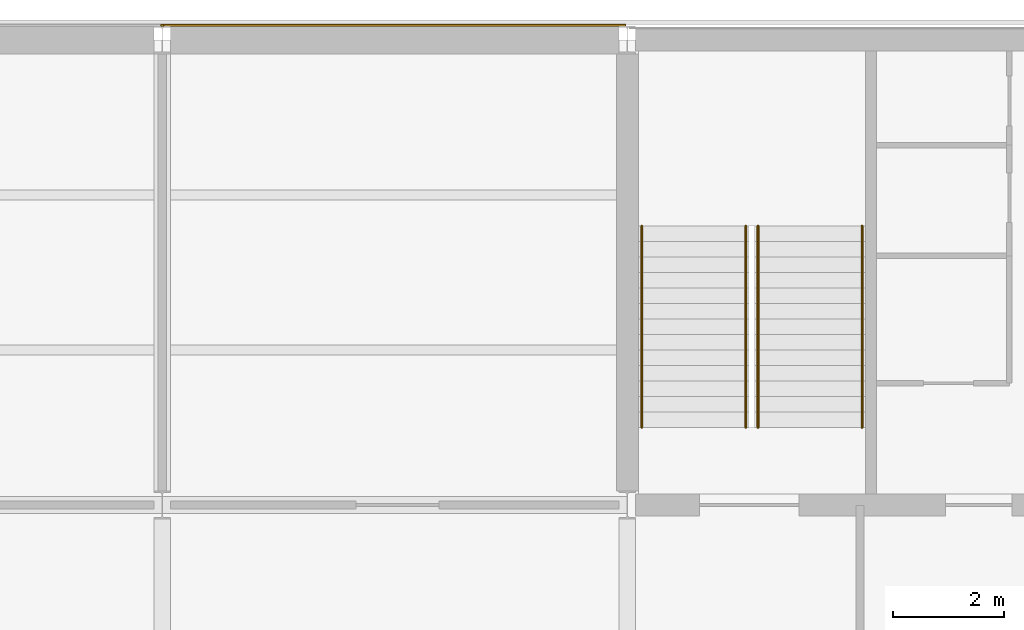
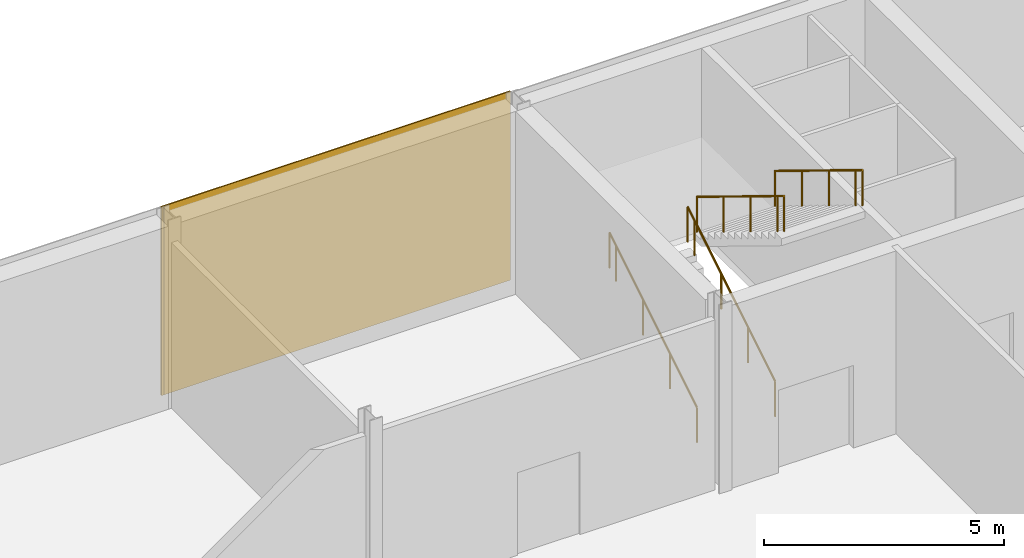
# One storey, part 51 of 61: 4 railings, 2 coverings.
"""IFC4 building model written with IfcOpenShell, lengths in metres."""

from ifc_helpers import new_model, si_unit, direction, frame, origin, origin_2d, place, context, subcontext, project, spatial, rectangle, circle, extrude, material, layer, layer_set, type_object, element, save


model = new_model("IFC4")

# Units and contexts
model_context = context("Model", 3, precision=1e-05, world=origin(), true_north=direction((0.0, 1.0)))
body_context = subcontext(model_context, "Body", "Model", "MODEL_VIEW")
ifc_project = project(units=[si_unit("LENGTHUNIT", "METRE"), si_unit("AREAUNIT", "SQUARE_METRE"), si_unit("VOLUMEUNIT", "CUBIC_METRE"), si_unit("PLANEANGLEUNIT", "RADIAN"), si_unit("MASSUNIT", "GRAM", prefix="KILO")], contexts=[model_context])

# Site, building, storey
site_placement = place(None, origin())
site = spatial("IfcSite", under=ifc_project, at=site_placement, CompositionType="ELEMENT")
building_placement = place(site_placement, origin())
building = spatial("IfcBuilding", under=site, at=building_placement, Name="Galleria Vessillo Department Store", CompositionType="ELEMENT")
storey_placement = place(building_placement, frame((0.0, 0.0, 11.39990234375)))
storey = spatial("IfcBuildingStorey", under=building, at=storey_placement, Name="L02", CompositionType="ELEMENT", Elevation=11.39990234375)

# Coverings
ifc_material_1 = material(Name="Lime plaster (intonaco) ochre")
ifc_layer = layer(ifc_material_1, 0.030029296875)
ifc_layer_set = layer_set([ifc_layer], Name="Lime plaster (intonaco) ochre")
covering_type = type_object("IfcCoveringType", Name="Lime plaster render 30 mm", PredefinedType="CLADDING", material=ifc_layer_set)
covering_1_placement = place(storey_placement, frame((54.60009765625, 63.264892578125, 0.0), z_axis=(0.0, 0.0, 1.0), x_axis=(1.0, 0.0, 0.0)))
element("IfcCovering", 1, at=covering_1_placement, inside=storey, type_object=covering_type, Name="Wall cladding S-PN-L02-05", PredefinedType="CLADDING", context=body_context, shape_type="SweptSolid", body=[
    extrude(rectangle(XDim=8.34033203125, YDim=0.030029296875, at=origin_2d()), origin(), (0.0, 0.0, 1.0), 4.800048828125),
])
covering_2_placement = place(storey_placement, frame((50.39990234375, 63.264892578125, 0.0), z_axis=(0.0, 0.0, 1.0), x_axis=(1.0, 0.0, 0.0)))
element("IfcCovering", 2, at=covering_2_placement, inside=storey, type_object=covering_type, Name="Joint block Wall cladding S-PN-L02-04", PredefinedType="CLADDING", context=body_context, shape_type="SweptSolid", body=[
    extrude(rectangle(XDim=0.059814453125, YDim=0.030029296875, at=origin_2d()), origin(), (0.0, 0.0, 1.0), 4.800048828125),
])

# Railings
ifc_material_2 = material(Name="Stainless steel tube", Category="steel")
railing_type = type_object("IfcRailingType", Name="Stair handrail steel tube 48 mm", PredefinedType="HANDRAIL", material=ifc_material_2)
for number, where, name in (
    (3, (59.06005859375, 56.0, 0.17138671875), "Handrail ST11 L02 flight 1A"),
    (4, (60.93994140625, 56.0, 0.17138671875), "Handrail ST11 L02 flight 1B"),
):
    element("IfcRailing", number, at=place(storey_placement, frame(where)), inside=storey, type_object=railing_type, Name=name, PredefinedType="HANDRAIL", context=body_context, shape_type="SweptSolid", body=[
        extrude(circle(Radius=0.02392578125, at=origin_2d()), frame((0.0, 0.0, 0.89599609375), z_axis=(0.0, 0.852849614702, 0.52215661894), x_axis=(-1.0, 0.0, 0.0)), (0.0, 0.0, 1.0), 1.3134765625),
        extrude(circle(Radius=0.02392578125, at=origin_2d()), frame((0.0, 1.1201171875, 1.58154296875), z_axis=(0.0, 0.852798921012, 0.522239409008), x_axis=(-1.0, 0.0, 0.0)), (0.0, 0.0, 1.0), 1.313232421875),
        extrude(circle(Radius=0.02392578125, at=origin_2d()), frame((0.0, 2.239990234375, 2.267578125), z_axis=(0.0, 0.852932391421, 0.522021393877), x_axis=(-1.0, 0.0, 0.0)), (0.0, 0.0, 1.0), 1.313232421875),
        extrude(circle(Radius=0.02392578125, at=origin_2d()), frame((0.0, 3.360107421875, 2.953125), z_axis=(0.0, 0.852729557261, 0.522352660731), x_axis=(-1.0, 0.0, 0.0)), (0.0, 0.0, 1.0), 0.328125),
        extrude(circle(Radius=0.02099609375, at=origin_2d()), origin(), (0.0, 0.0, 1.0), 0.871826171875),
        extrude(circle(Radius=0.02099609375, at=origin_2d()), frame((0.0, 1.1201171875, 0.685791015625)), (0.0, 0.0, 1.0), 0.871826171875),
        extrude(circle(Radius=0.02099609375, at=origin_2d()), frame((0.0, 2.239990234375, 1.37158203125)), (0.0, 0.0, 1.0), 0.871826171875),
        extrude(circle(Radius=0.02099609375, at=origin_2d()), frame((0.0, 3.360107421875, 2.05712890625)), (0.0, 0.0, 1.0), 0.871826171875),
        extrude(circle(Radius=0.02099609375, at=origin_2d()), frame((0.0, 3.639892578125, 2.228515625)), (0.0, 0.0, 1.0), 0.871826171875),
    ])
for number, where, name in (
    (5, (63.0400390625, 59.639892578125, 2.571533203125), "Handrail ST11 L02 flight 2A"),
    (6, (61.16015625, 59.639892578125, 2.571533203125), "Handrail ST11 L02 flight 2B"),
):
    element("IfcRailing", number, at=place(storey_placement, frame(where)), inside=storey, type_object=railing_type, Name=name, PredefinedType="HANDRAIL", context=body_context, shape_type="SweptSolid", body=[
        extrude(circle(Radius=0.02392578125, at=origin_2d()), frame((0.0, 0.0, 0.89599609375), z_axis=(0.0, -0.852849614702, 0.52215661894), x_axis=(1.0, 0.0, 0.0)), (0.0, 0.0, 1.0), 1.3134765625),
        extrude(circle(Radius=0.02392578125, at=origin_2d()), frame((0.0, -1.1201171875, 1.58154296875), z_axis=(0.0, -0.852798921012, 0.522239409008), x_axis=(1.0, 0.0, 0.0)), (0.0, 0.0, 1.0), 1.313232421875),
        extrude(circle(Radius=0.02392578125, at=origin_2d()), frame((0.0, -2.239990234375, 2.267578125), z_axis=(0.0, -0.852932391421, 0.522021393877), x_axis=(1.0, 0.0, 0.0)), (0.0, 0.0, 1.0), 1.313232421875),
        extrude(circle(Radius=0.02392578125, at=origin_2d()), frame((0.0, -3.360107421875, 2.953125), z_axis=(0.0, -0.852729557261, 0.522352660731), x_axis=(1.0, 0.0, 0.0)), (0.0, 0.0, 1.0), 0.328125),
        extrude(circle(Radius=0.02099609375, at=origin_2d()), origin(), (0.0, 0.0, 1.0), 0.871826171875),
        extrude(circle(Radius=0.02099609375, at=origin_2d()), frame((0.0, -1.1201171875, 0.685791015625)), (0.0, 0.0, 1.0), 0.871826171875),
        extrude(circle(Radius=0.02099609375, at=origin_2d()), frame((0.0, -2.239990234375, 1.37158203125)), (0.0, 0.0, 1.0), 0.871826171875),
        extrude(circle(Radius=0.02099609375, at=origin_2d()), frame((0.0, -3.360107421875, 2.05712890625)), (0.0, 0.0, 1.0), 0.871826171875),
        extrude(circle(Radius=0.02099609375, at=origin_2d()), frame((0.0, -3.639892578125, 2.228515625)), (0.0, 0.0, 1.0), 0.871826171875),
    ])

save(model, "model.ifc")
